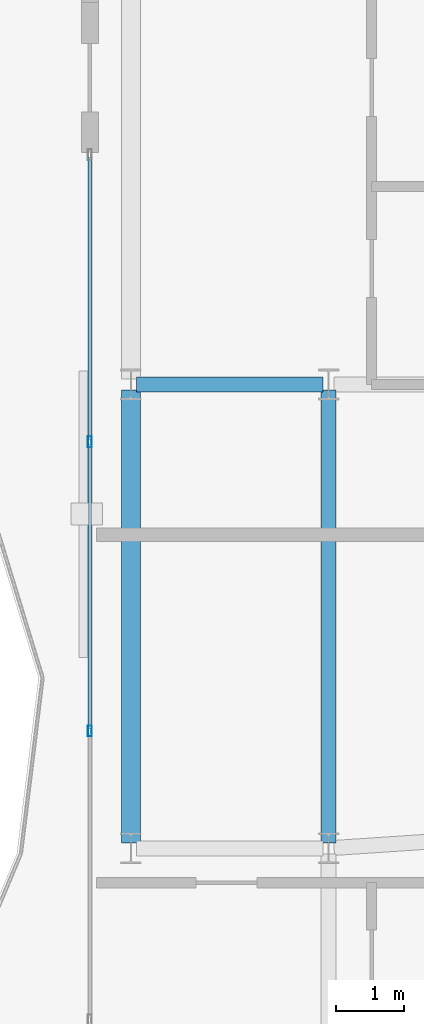
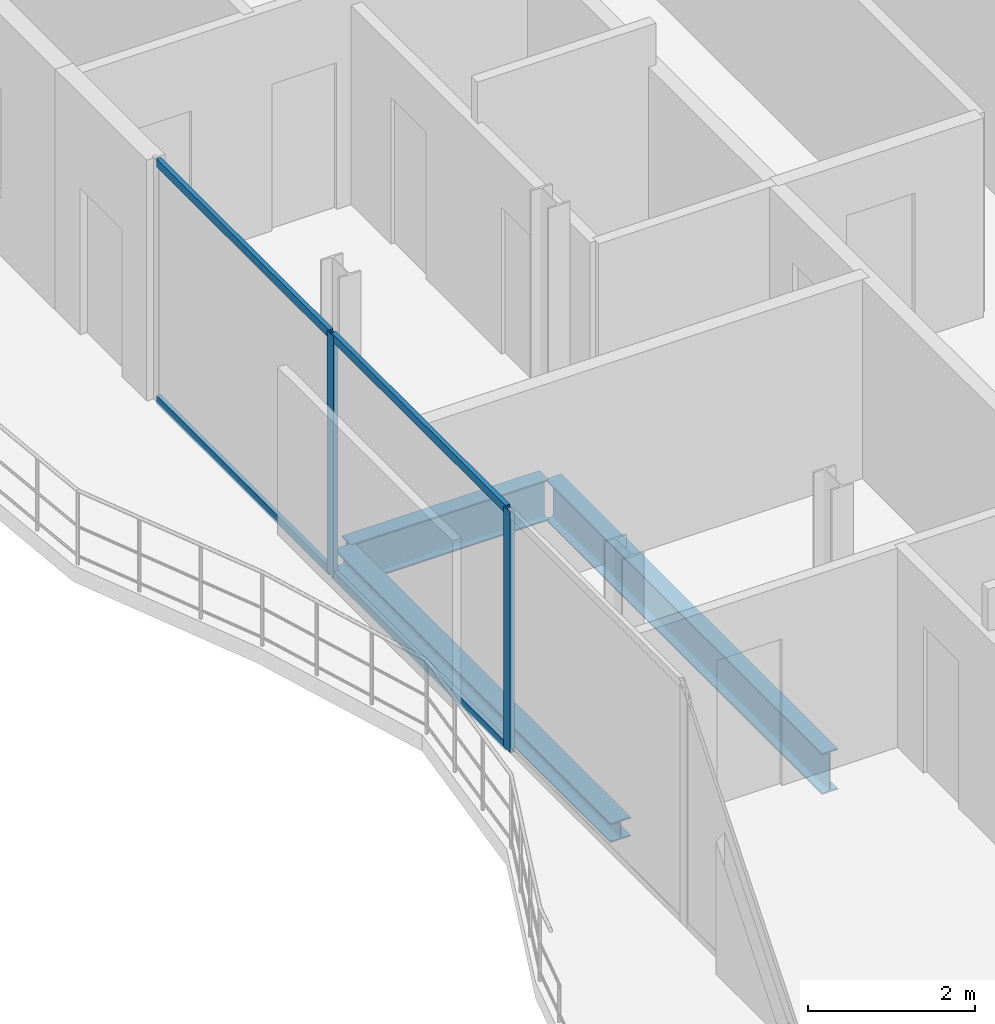
# One storey, part 10 of 22: 6 members, 3 beams, 1 element without a shape of its own.
"""IFC4 building model written with IfcOpenShell, lengths in metres."""

from ifc_helpers import new_model, si_unit, direction, frame, origin, origin_2d, place, context, subcontext, project, spatial, hollow_rectangle, i_section, extrude, material, layer, layer_set, material_profile, profile_set, type_object, element, aggregate, save


model = new_model("IFC4")

# Units and contexts
model_context = context("Model", 3, precision=1e-05, world=origin(), true_north=direction((0.0, 1.0)))
body_context = subcontext(model_context, "Body", "Model", "MODEL_VIEW")
ifc_project = project(units=[si_unit("LENGTHUNIT", "METRE"), si_unit("AREAUNIT", "SQUARE_METRE"), si_unit("VOLUMEUNIT", "CUBIC_METRE"), si_unit("PLANEANGLEUNIT", "RADIAN"), si_unit("MASSUNIT", "GRAM", prefix="KILO")], contexts=[model_context])

# Site, building, storey
site_placement = place(None, origin())
site = spatial("IfcSite", under=ifc_project, at=site_placement, CompositionType="ELEMENT")
building_placement = place(site_placement, origin())
building = spatial("IfcBuilding", under=site, at=building_placement, Name="Catumbela Crestline Tower", CompositionType="ELEMENT")
storey_placement = place(building_placement, frame((0.0, 0.0, 218.4)))
storey = spatial("IfcBuildingStorey", under=building, at=storey_placement, Name="L56", CompositionType="ELEMENT", Elevation=218.4)

# Beams
ifc_material_1 = material(Name="Structural steel S355J2", Category="steel")
ifc_material_profile_1 = material_profile(ifc_material_1, i_section(OverallWidth=0.22, OverallDepth=0.6, WebThickness=0.012, FlangeThickness=0.019, FilletRadius=0.024, at=origin_2d()), Name="IPE 600")
ifc_profile_set_1 = profile_set([ifc_material_profile_1], Name="Structural steel S355J2")
beam_type_1 = type_object("IfcBeamType", Name="BG-IPE600", PredefinedType="BEAM", material=ifc_profile_set_1)
beam_1_placement = place(storey_placement, frame((5.68, 30.8, -0.56), z_axis=(1.0, 0.0, 0.0), x_axis=(0.0, 1.0, 0.0)))
element("IfcBeam", 1, at=beam_1_placement, inside=storey, type_object=beam_type_1, Name="L56 Beam BM-L56-M06", PredefinedType="BEAM", context=body_context, shape_type="SweptSolid", body=[
    extrude(i_section(OverallWidth=0.22, OverallDepth=0.6, WebThickness=0.012, FlangeThickness=0.019, FilletRadius=0.024, at=origin_2d()), origin(), (0.0, 0.0, 1.0), 2.74),
])
beam_2_placement = place(storey_placement, frame((8.5, 24.08, -0.56), z_axis=(0.0, 1.0, 0.0), x_axis=(-1.0, 0.0, 0.0)))
element("IfcBeam", 2, at=beam_2_placement, inside=storey, type_object=beam_type_1, Name="L56 Beam BM-L56-SN14", PredefinedType="BEAM", context=body_context, shape_type="SweptSolid", body=[
    extrude(i_section(OverallWidth=0.22, OverallDepth=0.6, WebThickness=0.012, FlangeThickness=0.019, FilletRadius=0.024, at=origin_2d()), origin(), (0.0, 0.0, 1.0), 6.64),
])

# Curtain wall, members
ifc_material_2 = material(Name="Aluminium alloy AW-6060-T66", Category="aluminium")
ifc_layer = layer(ifc_material_2, 0.18, Name="Aluminium alloy AW-6060-T66")
ifc_layer_set = layer_set([ifc_layer], Name="Aluminium alloy AW-6060-T66")
curtain_wall_type = type_object("IfcCurtainWallType", Name="CWU-Z4", PredefinedType="USERDEFINED", material=ifc_layer_set)
curtain_wall_placement = place(storey_placement, origin())
curtain_wall = element("IfcCurtainWall", 3, at=curtain_wall_placement, inside=storey, type_object=curtain_wall_type, Name="L56 Unitised Curtain Wall CW-L56-E9S2", ObjectType="UNITISED", PredefinedType="USERDEFINED")
ifc_material_profile_2 = material_profile(ifc_material_2, hollow_rectangle(XDim=0.06, YDim=0.16, WallThickness=0.004, at=origin_2d()), Name="ALU 160x60x4")
ifc_profile_set_2 = profile_set([ifc_material_profile_2], Name="Aluminium alloy AW-6060-T66")
member_type_1 = type_object("IfcMemberType", Name="MUL-160X60", PredefinedType="MULLION", material=ifc_profile_set_2)
member_1_placement = place(storey_placement, frame((5.0, 29.96, 0.0), z_axis=(0.0, 0.0, 1.0), x_axis=(1.0, 0.0, 0.0)))
member_1 = element("IfcMember", 4, at=member_1_placement, type_object=member_type_1, Name="CWU-Z4 mullion 2", PredefinedType="MULLION", context=body_context, shape_type="SweptSolid", body=[
    extrude(hollow_rectangle(XDim=0.06, YDim=0.16, WallThickness=0.004, at=origin_2d()), origin(), (0.0, 0.0, 1.0), 3.53),
])
member_2_placement = place(storey_placement, frame((5.0, 25.72, 0.0), z_axis=(0.0, 0.0, 1.0), x_axis=(1.0, 0.0, 0.0)))
member_2 = element("IfcMember", 5, at=member_2_placement, type_object=member_type_1, Name="CWU-Z4 mullion 3", PredefinedType="MULLION", context=body_context, shape_type="SweptSolid", body=[
    extrude(hollow_rectangle(XDim=0.06, YDim=0.16, WallThickness=0.004, at=origin_2d()), origin(), (0.0, 0.0, 1.0), 3.53),
])

# Beam
ifc_material_profile_3 = material_profile(ifc_material_1, i_section(OverallWidth=0.28, OverallDepth=0.28, WebThickness=0.0105, FlangeThickness=0.018, FilletRadius=0.024, at=origin_2d()), Name="HEB 280")
ifc_profile_set_3 = profile_set([ifc_material_profile_3], Name="Structural steel S355J2")
beam_type_2 = type_object("IfcBeamType", Name="BS-HEB280", PredefinedType="SPANDREL", material=ifc_profile_set_3)
beam_3_placement = place(storey_placement, frame((5.6, 24.08, -0.4), z_axis=(0.0, 1.0, 0.0), x_axis=(-1.0, 0.0, 0.0)))
element("IfcBeam", 6, at=beam_3_placement, inside=storey, type_object=beam_type_2, Name="L56 Spandrel SP-L56-SN12", PredefinedType="SPANDREL", context=body_context, shape_type="SweptSolid", body=[
    extrude(i_section(OverallWidth=0.28, OverallDepth=0.28, WebThickness=0.0105, FlangeThickness=0.018, FilletRadius=0.024, at=origin_2d()), origin(), (0.0, 0.0, 1.0), 6.64),
])

# Member
ifc_material_profile_4 = material_profile(ifc_material_2, hollow_rectangle(XDim=0.06, YDim=0.12, WallThickness=0.0035, at=origin_2d()), Name="ALU 120x60x3.5")
ifc_profile_set_4 = profile_set([ifc_material_profile_4], Name="Aluminium alloy AW-6060-T66")
member_type_2 = type_object("IfcMemberType", Name="TRN-120X60", PredefinedType="USERDEFINED", material=ifc_profile_set_4)
member_3_placement = place(storey_placement, frame((5.0, 34.135, 0.03), z_axis=(0.0, -1.0, 0.0), x_axis=(1.0, 0.0, 0.0)))
member_3 = element("IfcMember", 7, at=member_3_placement, type_object=member_type_2, Name="CWU-Z4 transom 1.1", ObjectType="TRANSOM", PredefinedType="USERDEFINED", context=body_context, shape_type="SweptSolid", body=[
    extrude(hollow_rectangle(XDim=0.06, YDim=0.12, WallThickness=0.0035, at=origin_2d()), origin(), (0.0, 0.0, 1.0), 4.1425),
])

member_4_placement = place(storey_placement, frame((5.0, 34.135, 3.5), z_axis=(0.0, -1.0, 0.0), x_axis=(1.0, 0.0, 0.0)))
member_4 = element("IfcMember", 8, at=member_4_placement, type_object=member_type_2, Name="CWU-Z4 transom 1.2", ObjectType="TRANSOM", PredefinedType="USERDEFINED", context=body_context, shape_type="SweptSolid", body=[
    extrude(hollow_rectangle(XDim=0.06, YDim=0.12, WallThickness=0.0035, at=origin_2d()), origin(), (0.0, 0.0, 1.0), 4.1425),
])

member_5_placement = place(storey_placement, frame((5.0, 29.9275, 0.03), z_axis=(0.0, -1.0, 0.0), x_axis=(1.0, 0.0, 0.0)))
member_5 = element("IfcMember", 9, at=member_5_placement, type_object=member_type_2, Name="CWU-Z4 transom 2.1", ObjectType="TRANSOM", PredefinedType="USERDEFINED", context=body_context, shape_type="SweptSolid", body=[
    extrude(hollow_rectangle(XDim=0.06, YDim=0.12, WallThickness=0.0035, at=origin_2d()), origin(), (0.0, 0.0, 1.0), 4.175),
])

member_6_placement = place(storey_placement, frame((5.0, 29.9275, 3.5), z_axis=(0.0, -1.0, 0.0), x_axis=(1.0, 0.0, 0.0)))
member_6 = element("IfcMember", 10, at=member_6_placement, type_object=member_type_2, Name="CWU-Z4 transom 2.2", ObjectType="TRANSOM", PredefinedType="USERDEFINED", context=body_context, shape_type="SweptSolid", body=[
    extrude(hollow_rectangle(XDim=0.06, YDim=0.12, WallThickness=0.0035, at=origin_2d()), origin(), (0.0, 0.0, 1.0), 4.175),
])

aggregate(curtain_wall, [member_1, member_2, member_3, member_4, member_5, member_6])

save(model, "model.ifc")
